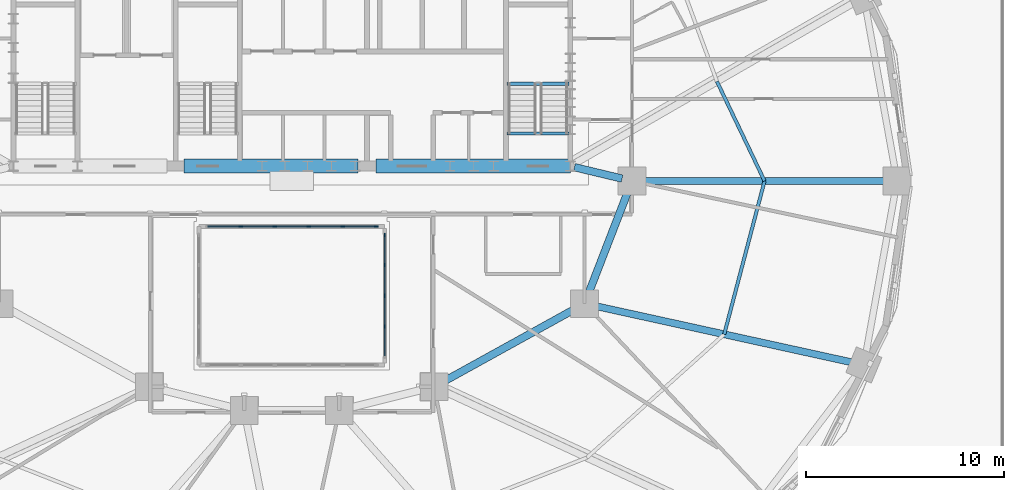
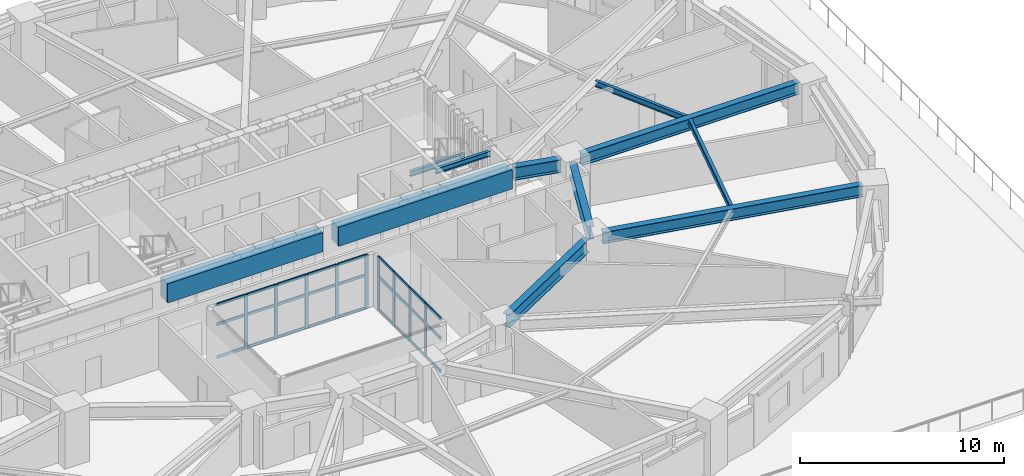
# One storey, part 5 of 18: 36 members, 11 beams, 2 elements without a shape of their own.
"""IFC4 building model written with IfcOpenShell, lengths in metres."""

from ifc_helpers import new_model, si_unit, direction, frame, origin, origin_2d, place, context, subcontext, project, spatial, rectangle, i_section, extrude, material, material_profile, profile_set, type_object, element, aggregate, save


model = new_model("IFC4")

# Units and contexts
model_context = context("Model", 3, precision=1e-05, world=origin(), true_north=direction((0.0, 1.0)))
body_context = subcontext(model_context, "Body", "Model", "MODEL_VIEW")
ifc_project = project(units=[si_unit("LENGTHUNIT", "METRE"), si_unit("AREAUNIT", "SQUARE_METRE"), si_unit("VOLUMEUNIT", "CUBIC_METRE"), si_unit("PLANEANGLEUNIT", "RADIAN"), si_unit("MASSUNIT", "GRAM", prefix="KILO")], contexts=[model_context])

# Site, building, storey
site_placement = place(None, origin())
site = spatial("IfcSite", under=ifc_project, at=site_placement, CompositionType="ELEMENT")
building_placement = place(site_placement, origin())
building = spatial("IfcBuilding", under=site, at=building_placement, Name="Haldorwick Loom Tower", CompositionType="ELEMENT")
storey_placement = place(building_placement, frame((0.0, 0.0, 24.0)))
storey = spatial("IfcBuildingStorey", under=building, at=storey_placement, Name="L05", CompositionType="ELEMENT", Elevation=24.0)

# Curtain wall, members
ifc_material_1 = material(Name="Thermally Broken Anodized Aluminium Curtain Wall Framing", Category="aluminium")
curtain_wall_type = type_object("IfcCurtainWallType", Name="ARC-CW-03", PredefinedType="NOTDEFINED", material=ifc_material_1)
curtain_wall_1_placement = place(storey_placement, origin())
curtain_wall_1 = element("IfcCurtainWall", 1, at=curtain_wall_1_placement, inside=storey, type_object=curtain_wall_type, Name="L05 Atrium Glazed Screen N", PredefinedType="NOTDEFINED")
ifc_material_profile_1 = material_profile(ifc_material_1, rectangle(XDim=0.06591796875, YDim=0.18505859375, at=origin_2d()), Name="ALU_MUL_66X185", Category="aluminium")
ifc_profile_set_1 = profile_set([ifc_material_profile_1], Name="Thermally Broken Anodized Aluminium Curtain Wall Framing")
member_type_1 = type_object("IfcMemberType", Name="ARC-CWM-03", PredefinedType="MULLION", material=ifc_profile_set_1)
member_1_placement = place(storey_placement, frame((33.419921875, 23.699951171875, 0.0), z_axis=(0.0, 0.0, 1.0), x_axis=(0.0, 1.0, 0.0)))
member_1 = element("IfcMember", 2, at=member_1_placement, type_object=member_type_1, Name="CW-03 mullion 2", PredefinedType="MULLION", context=body_context, shape_type="SweptSolid", body=[
    extrude(rectangle(XDim=0.06591796875, YDim=0.18505859375, at=origin_2d()), origin(), (0.0, 0.0, 1.0), 3.2099609375),
])
member_2_placement = place(storey_placement, frame((35.139892578125, 23.699951171875, 0.0), z_axis=(0.0, 0.0, 1.0), x_axis=(0.0, 1.0, 0.0)))
member_2 = element("IfcMember", 3, at=member_2_placement, type_object=member_type_1, Name="CW-03 mullion 3", PredefinedType="MULLION", context=body_context, shape_type="SweptSolid", body=[
    extrude(rectangle(XDim=0.06591796875, YDim=0.18505859375, at=origin_2d()), origin(), (0.0, 0.0, 1.0), 3.2099609375),
])
member_3_placement = place(storey_placement, frame((36.860107421875, 23.699951171875, 0.0), z_axis=(0.0, 0.0, 1.0), x_axis=(0.0, 1.0, 0.0)))
member_3 = element("IfcMember", 4, at=member_3_placement, type_object=member_type_1, Name="CW-03 mullion 4", PredefinedType="MULLION", context=body_context, shape_type="SweptSolid", body=[
    extrude(rectangle(XDim=0.06591796875, YDim=0.18505859375, at=origin_2d()), origin(), (0.0, 0.0, 1.0), 3.2099609375),
])
member_4_placement = place(storey_placement, frame((38.580078125, 23.699951171875, 0.0), z_axis=(0.0, 0.0, 1.0), x_axis=(0.0, 1.0, 0.0)))
member_4 = element("IfcMember", 5, at=member_4_placement, type_object=member_type_1, Name="CW-03 mullion 5", PredefinedType="MULLION", context=body_context, shape_type="SweptSolid", body=[
    extrude(rectangle(XDim=0.06591796875, YDim=0.18505859375, at=origin_2d()), origin(), (0.0, 0.0, 1.0), 3.2099609375),
])
member_5_placement = place(storey_placement, frame((40.26708984375, 23.699951171875, 0.0), z_axis=(0.0, 0.0, 1.0), x_axis=(0.0, 1.0, 0.0)))
member_5 = element("IfcMember", 6, at=member_5_placement, type_object=member_type_1, Name="CW-03 mullion 6", PredefinedType="MULLION", context=body_context, shape_type="SweptSolid", body=[
    extrude(rectangle(XDim=0.06591796875, YDim=0.18505859375, at=origin_2d()), origin(), (0.0, 0.0, 1.0), 3.2099609375),
])

curtain_wall_2_placement = place(storey_placement, origin())
curtain_wall_2 = element("IfcCurtainWall", 7, at=curtain_wall_2_placement, inside=storey, type_object=curtain_wall_type, Name="L05 Atrium Glazed Screen E", PredefinedType="NOTDEFINED")
member_6_placement = place(storey_placement, frame((40.699951171875, 23.26708984375, 0.0), z_axis=(0.0, 0.0, 1.0), x_axis=(1.0, 0.0, 0.0)))
member_6 = element("IfcMember", 8, at=member_6_placement, type_object=member_type_1, Name="CW-03 mullion 1", PredefinedType="MULLION", context=body_context, shape_type="SweptSolid", body=[
    extrude(rectangle(XDim=0.06591796875, YDim=0.18505859375, at=origin_2d()), origin(), (0.0, 0.0, 1.0), 3.2099609375),
])
member_7_placement = place(storey_placement, frame((40.699951171875, 21.75, 0.0), z_axis=(0.0, 0.0, 1.0), x_axis=(1.0, 0.0, 0.0)))
member_7 = element("IfcMember", 9, at=member_7_placement, type_object=member_type_1, Name="CW-03 mullion 2", PredefinedType="MULLION", context=body_context, shape_type="SweptSolid", body=[
    extrude(rectangle(XDim=0.06591796875, YDim=0.18505859375, at=origin_2d()), origin(), (0.0, 0.0, 1.0), 3.2099609375),
])
member_8_placement = place(storey_placement, frame((40.699951171875, 20.199951171875, 0.0), z_axis=(0.0, 0.0, 1.0), x_axis=(1.0, 0.0, 0.0)))
member_8 = element("IfcMember", 10, at=member_8_placement, type_object=member_type_1, Name="CW-03 mullion 3", PredefinedType="MULLION", context=body_context, shape_type="SweptSolid", body=[
    extrude(rectangle(XDim=0.06591796875, YDim=0.18505859375, at=origin_2d()), origin(), (0.0, 0.0, 1.0), 3.2099609375),
])
member_9_placement = place(storey_placement, frame((40.699951171875, 18.64990234375, 0.0), z_axis=(0.0, 0.0, 1.0), x_axis=(1.0, 0.0, 0.0)))
member_9 = element("IfcMember", 11, at=member_9_placement, type_object=member_type_1, Name="CW-03 mullion 4", PredefinedType="MULLION", context=body_context, shape_type="SweptSolid", body=[
    extrude(rectangle(XDim=0.06591796875, YDim=0.18505859375, at=origin_2d()), origin(), (0.0, 0.0, 1.0), 3.2099609375),
])

# Member
ifc_material_profile_2 = material_profile(ifc_material_1, rectangle(XDim=0.06591796875, YDim=0.1650390625, at=origin_2d()), Name="ALU_TRN_66X165", Category="aluminium")
ifc_profile_set_2 = profile_set([ifc_material_profile_2], Name="Thermally Broken Anodized Aluminium Curtain Wall Framing")
member_type_2 = type_object("IfcMemberType", Name="ARC-CWT-03", PredefinedType="USERDEFINED", material=ifc_profile_set_2)
member_10_placement = place(storey_placement, frame((31.76611328125, 23.699951171875, 0.032958984375), z_axis=(1.0, 0.0, 0.0), x_axis=(0.0, 1.0, 0.0)))
member_10 = element("IfcMember", 12, at=member_10_placement, type_object=member_type_2, Name="CW-03 transom 1.1", ObjectType="TRANSOM", PredefinedType="USERDEFINED", context=body_context, shape_type="SweptSolid", body=[
    extrude(rectangle(XDim=0.06591796875, YDim=0.1650390625, at=origin_2d()), origin(), (0.0, 0.0, 1.0), 1.620849609375),
])

member_11_placement = place(storey_placement, frame((31.76611328125, 23.699951171875, 2.0), z_axis=(1.0, 0.0, 0.0), x_axis=(0.0, 1.0, 0.0)))
member_11 = element("IfcMember", 13, at=member_11_placement, type_object=member_type_2, Name="CW-03 transom 1.2", ObjectType="TRANSOM", PredefinedType="USERDEFINED", context=body_context, shape_type="SweptSolid", body=[
    extrude(rectangle(XDim=0.06591796875, YDim=0.1650390625, at=origin_2d()), origin(), (0.0, 0.0, 1.0), 1.620849609375),
])

member_12_placement = place(storey_placement, frame((31.76611328125, 23.699951171875, 3.177001953125), z_axis=(1.0, 0.0, 0.0), x_axis=(0.0, 1.0, 0.0)))
member_12 = element("IfcMember", 14, at=member_12_placement, type_object=member_type_2, Name="CW-03 transom 1.3", ObjectType="TRANSOM", PredefinedType="USERDEFINED", context=body_context, shape_type="SweptSolid", body=[
    extrude(rectangle(XDim=0.06591796875, YDim=0.1650390625, at=origin_2d()), origin(), (0.0, 0.0, 1.0), 1.620849609375),
])

member_13_placement = place(storey_placement, frame((33.452880859375, 23.699951171875, 0.032958984375), z_axis=(1.0, 0.0, 0.0), x_axis=(0.0, 1.0, 0.0)))
member_13 = element("IfcMember", 15, at=member_13_placement, type_object=member_type_2, Name="CW-03 transom 2.1", ObjectType="TRANSOM", PredefinedType="USERDEFINED", context=body_context, shape_type="SweptSolid", body=[
    extrude(rectangle(XDim=0.06591796875, YDim=0.1650390625, at=origin_2d()), origin(), (0.0, 0.0, 1.0), 1.654052734375),
])

member_14_placement = place(storey_placement, frame((33.452880859375, 23.699951171875, 2.0), z_axis=(1.0, 0.0, 0.0), x_axis=(0.0, 1.0, 0.0)))
member_14 = element("IfcMember", 16, at=member_14_placement, type_object=member_type_2, Name="CW-03 transom 2.2", ObjectType="TRANSOM", PredefinedType="USERDEFINED", context=body_context, shape_type="SweptSolid", body=[
    extrude(rectangle(XDim=0.06591796875, YDim=0.1650390625, at=origin_2d()), origin(), (0.0, 0.0, 1.0), 1.654052734375),
])

member_15_placement = place(storey_placement, frame((33.452880859375, 23.699951171875, 3.177001953125), z_axis=(1.0, 0.0, 0.0), x_axis=(0.0, 1.0, 0.0)))
member_15 = element("IfcMember", 17, at=member_15_placement, type_object=member_type_2, Name="CW-03 transom 2.3", ObjectType="TRANSOM", PredefinedType="USERDEFINED", context=body_context, shape_type="SweptSolid", body=[
    extrude(rectangle(XDim=0.06591796875, YDim=0.1650390625, at=origin_2d()), origin(), (0.0, 0.0, 1.0), 1.654052734375),
])

member_16_placement = place(storey_placement, frame((35.173095703125, 23.699951171875, 0.032958984375), z_axis=(1.0, 0.0, 0.0), x_axis=(0.0, 1.0, 0.0)))
member_16 = element("IfcMember", 18, at=member_16_placement, type_object=member_type_2, Name="CW-03 transom 3.1", ObjectType="TRANSOM", PredefinedType="USERDEFINED", context=body_context, shape_type="SweptSolid", body=[
    extrude(rectangle(XDim=0.06591796875, YDim=0.1650390625, at=origin_2d()), origin(), (0.0, 0.0, 1.0), 1.65380859375),
])

member_17_placement = place(storey_placement, frame((35.173095703125, 23.699951171875, 2.0), z_axis=(1.0, 0.0, 0.0), x_axis=(0.0, 1.0, 0.0)))
member_17 = element("IfcMember", 19, at=member_17_placement, type_object=member_type_2, Name="CW-03 transom 3.2", ObjectType="TRANSOM", PredefinedType="USERDEFINED", context=body_context, shape_type="SweptSolid", body=[
    extrude(rectangle(XDim=0.06591796875, YDim=0.1650390625, at=origin_2d()), origin(), (0.0, 0.0, 1.0), 1.65380859375),
])

member_18_placement = place(storey_placement, frame((35.173095703125, 23.699951171875, 3.177001953125), z_axis=(1.0, 0.0, 0.0), x_axis=(0.0, 1.0, 0.0)))
member_18 = element("IfcMember", 20, at=member_18_placement, type_object=member_type_2, Name="CW-03 transom 3.3", ObjectType="TRANSOM", PredefinedType="USERDEFINED", context=body_context, shape_type="SweptSolid", body=[
    extrude(rectangle(XDim=0.06591796875, YDim=0.1650390625, at=origin_2d()), origin(), (0.0, 0.0, 1.0), 1.65380859375),
])

member_19_placement = place(storey_placement, frame((36.89306640625, 23.699951171875, 0.032958984375), z_axis=(1.0, 0.0, 0.0), x_axis=(0.0, 1.0, 0.0)))
member_19 = element("IfcMember", 21, at=member_19_placement, type_object=member_type_2, Name="CW-03 transom 4.1", ObjectType="TRANSOM", PredefinedType="USERDEFINED", context=body_context, shape_type="SweptSolid", body=[
    extrude(rectangle(XDim=0.06591796875, YDim=0.1650390625, at=origin_2d()), origin(), (0.0, 0.0, 1.0), 1.654052734375),
])

member_20_placement = place(storey_placement, frame((36.89306640625, 23.699951171875, 2.0), z_axis=(1.0, 0.0, 0.0), x_axis=(0.0, 1.0, 0.0)))
member_20 = element("IfcMember", 22, at=member_20_placement, type_object=member_type_2, Name="CW-03 transom 4.2", ObjectType="TRANSOM", PredefinedType="USERDEFINED", context=body_context, shape_type="SweptSolid", body=[
    extrude(rectangle(XDim=0.06591796875, YDim=0.1650390625, at=origin_2d()), origin(), (0.0, 0.0, 1.0), 1.654052734375),
])

member_21_placement = place(storey_placement, frame((36.89306640625, 23.699951171875, 3.177001953125), z_axis=(1.0, 0.0, 0.0), x_axis=(0.0, 1.0, 0.0)))
member_21 = element("IfcMember", 23, at=member_21_placement, type_object=member_type_2, Name="CW-03 transom 4.3", ObjectType="TRANSOM", PredefinedType="USERDEFINED", context=body_context, shape_type="SweptSolid", body=[
    extrude(rectangle(XDim=0.06591796875, YDim=0.1650390625, at=origin_2d()), origin(), (0.0, 0.0, 1.0), 1.654052734375),
])

member_22_placement = place(storey_placement, frame((38.613037109375, 23.699951171875, 0.032958984375), z_axis=(1.0, 0.0, 0.0), x_axis=(0.0, 1.0, 0.0)))
member_22 = element("IfcMember", 24, at=member_22_placement, type_object=member_type_2, Name="CW-03 transom 5.1", ObjectType="TRANSOM", PredefinedType="USERDEFINED", context=body_context, shape_type="SweptSolid", body=[
    extrude(rectangle(XDim=0.06591796875, YDim=0.1650390625, at=origin_2d()), origin(), (0.0, 0.0, 1.0), 1.620849609375),
])

member_23_placement = place(storey_placement, frame((38.613037109375, 23.699951171875, 2.0), z_axis=(1.0, 0.0, 0.0), x_axis=(0.0, 1.0, 0.0)))
member_23 = element("IfcMember", 25, at=member_23_placement, type_object=member_type_2, Name="CW-03 transom 5.2", ObjectType="TRANSOM", PredefinedType="USERDEFINED", context=body_context, shape_type="SweptSolid", body=[
    extrude(rectangle(XDim=0.06591796875, YDim=0.1650390625, at=origin_2d()), origin(), (0.0, 0.0, 1.0), 1.620849609375),
])

member_24_placement = place(storey_placement, frame((38.613037109375, 23.699951171875, 3.177001953125), z_axis=(1.0, 0.0, 0.0), x_axis=(0.0, 1.0, 0.0)))
member_24 = element("IfcMember", 26, at=member_24_placement, type_object=member_type_2, Name="CW-03 transom 5.3", ObjectType="TRANSOM", PredefinedType="USERDEFINED", context=body_context, shape_type="SweptSolid", body=[
    extrude(rectangle(XDim=0.06591796875, YDim=0.1650390625, at=origin_2d()), origin(), (0.0, 0.0, 1.0), 1.620849609375),
])

aggregate(curtain_wall_1, [member_1, member_2, member_3, member_4, member_5, member_10, member_11, member_12, member_13, member_14, member_15, member_16, member_17, member_18, member_19, member_20, member_21, member_22, member_23, member_24])

member_25_placement = place(storey_placement, frame((40.699951171875, 23.23388671875, 0.032958984375), z_axis=(0.0, -1.0, 0.0), x_axis=(1.0, 0.0, 0.0)))
member_25 = element("IfcMember", 27, at=member_25_placement, type_object=member_type_2, Name="CW-03 transom 1.1", ObjectType="TRANSOM", PredefinedType="USERDEFINED", context=body_context, shape_type="SweptSolid", body=[
    extrude(rectangle(XDim=0.06591796875, YDim=0.1650390625, at=origin_2d()), origin(), (0.0, 0.0, 1.0), 1.450927734375),
])

member_26_placement = place(storey_placement, frame((40.699951171875, 23.23388671875, 2.0), z_axis=(0.0, -1.0, 0.0), x_axis=(1.0, 0.0, 0.0)))
member_26 = element("IfcMember", 28, at=member_26_placement, type_object=member_type_2, Name="CW-03 transom 1.2", ObjectType="TRANSOM", PredefinedType="USERDEFINED", context=body_context, shape_type="SweptSolid", body=[
    extrude(rectangle(XDim=0.06591796875, YDim=0.1650390625, at=origin_2d()), origin(), (0.0, 0.0, 1.0), 1.450927734375),
])

member_27_placement = place(storey_placement, frame((40.699951171875, 23.23388671875, 3.177001953125), z_axis=(0.0, -1.0, 0.0), x_axis=(1.0, 0.0, 0.0)))
member_27 = element("IfcMember", 29, at=member_27_placement, type_object=member_type_2, Name="CW-03 transom 1.3", ObjectType="TRANSOM", PredefinedType="USERDEFINED", context=body_context, shape_type="SweptSolid", body=[
    extrude(rectangle(XDim=0.06591796875, YDim=0.1650390625, at=origin_2d()), origin(), (0.0, 0.0, 1.0), 1.450927734375),
])

member_28_placement = place(storey_placement, frame((40.699951171875, 21.717041015625, 0.032958984375), z_axis=(0.0, -1.0, 0.0), x_axis=(1.0, 0.0, 0.0)))
member_28 = element("IfcMember", 30, at=member_28_placement, type_object=member_type_2, Name="CW-03 transom 2.1", ObjectType="TRANSOM", PredefinedType="USERDEFINED", context=body_context, shape_type="SweptSolid", body=[
    extrude(rectangle(XDim=0.06591796875, YDim=0.1650390625, at=origin_2d()), origin(), (0.0, 0.0, 1.0), 1.484130859375),
])

member_29_placement = place(storey_placement, frame((40.699951171875, 21.717041015625, 2.0), z_axis=(0.0, -1.0, 0.0), x_axis=(1.0, 0.0, 0.0)))
member_29 = element("IfcMember", 31, at=member_29_placement, type_object=member_type_2, Name="CW-03 transom 2.2", ObjectType="TRANSOM", PredefinedType="USERDEFINED", context=body_context, shape_type="SweptSolid", body=[
    extrude(rectangle(XDim=0.06591796875, YDim=0.1650390625, at=origin_2d()), origin(), (0.0, 0.0, 1.0), 1.484130859375),
])

member_30_placement = place(storey_placement, frame((40.699951171875, 21.717041015625, 3.177001953125), z_axis=(0.0, -1.0, 0.0), x_axis=(1.0, 0.0, 0.0)))
member_30 = element("IfcMember", 32, at=member_30_placement, type_object=member_type_2, Name="CW-03 transom 2.3", ObjectType="TRANSOM", PredefinedType="USERDEFINED", context=body_context, shape_type="SweptSolid", body=[
    extrude(rectangle(XDim=0.06591796875, YDim=0.1650390625, at=origin_2d()), origin(), (0.0, 0.0, 1.0), 1.484130859375),
])

member_31_placement = place(storey_placement, frame((40.699951171875, 20.1669921875, 0.032958984375), z_axis=(0.0, -1.0, 0.0), x_axis=(1.0, 0.0, 0.0)))
member_31 = element("IfcMember", 33, at=member_31_placement, type_object=member_type_2, Name="CW-03 transom 3.1", ObjectType="TRANSOM", PredefinedType="USERDEFINED", context=body_context, shape_type="SweptSolid", body=[
    extrude(rectangle(XDim=0.06591796875, YDim=0.1650390625, at=origin_2d()), origin(), (0.0, 0.0, 1.0), 1.48388671875),
])

member_32_placement = place(storey_placement, frame((40.699951171875, 20.1669921875, 2.0), z_axis=(0.0, -1.0, 0.0), x_axis=(1.0, 0.0, 0.0)))
member_32 = element("IfcMember", 34, at=member_32_placement, type_object=member_type_2, Name="CW-03 transom 3.2", ObjectType="TRANSOM", PredefinedType="USERDEFINED", context=body_context, shape_type="SweptSolid", body=[
    extrude(rectangle(XDim=0.06591796875, YDim=0.1650390625, at=origin_2d()), origin(), (0.0, 0.0, 1.0), 1.48388671875),
])

member_33_placement = place(storey_placement, frame((40.699951171875, 20.1669921875, 3.177001953125), z_axis=(0.0, -1.0, 0.0), x_axis=(1.0, 0.0, 0.0)))
member_33 = element("IfcMember", 35, at=member_33_placement, type_object=member_type_2, Name="CW-03 transom 3.3", ObjectType="TRANSOM", PredefinedType="USERDEFINED", context=body_context, shape_type="SweptSolid", body=[
    extrude(rectangle(XDim=0.06591796875, YDim=0.1650390625, at=origin_2d()), origin(), (0.0, 0.0, 1.0), 1.48388671875),
])

member_34_placement = place(storey_placement, frame((40.699951171875, 18.616943359375, 0.032958984375), z_axis=(0.0, -1.0, 0.0), x_axis=(1.0, 0.0, 0.0)))
member_34 = element("IfcMember", 36, at=member_34_placement, type_object=member_type_2, Name="CW-03 transom 4.1", ObjectType="TRANSOM", PredefinedType="USERDEFINED", context=body_context, shape_type="SweptSolid", body=[
    extrude(rectangle(XDim=0.06591796875, YDim=0.1650390625, at=origin_2d()), origin(), (0.0, 0.0, 1.0), 1.450927734375),
])

member_35_placement = place(storey_placement, frame((40.699951171875, 18.616943359375, 2.0), z_axis=(0.0, -1.0, 0.0), x_axis=(1.0, 0.0, 0.0)))
member_35 = element("IfcMember", 37, at=member_35_placement, type_object=member_type_2, Name="CW-03 transom 4.2", ObjectType="TRANSOM", PredefinedType="USERDEFINED", context=body_context, shape_type="SweptSolid", body=[
    extrude(rectangle(XDim=0.06591796875, YDim=0.1650390625, at=origin_2d()), origin(), (0.0, 0.0, 1.0), 1.450927734375),
])

member_36_placement = place(storey_placement, frame((40.699951171875, 18.616943359375, 3.177001953125), z_axis=(0.0, -1.0, 0.0), x_axis=(1.0, 0.0, 0.0)))
member_36 = element("IfcMember", 38, at=member_36_placement, type_object=member_type_2, Name="CW-03 transom 4.3", ObjectType="TRANSOM", PredefinedType="USERDEFINED", context=body_context, shape_type="SweptSolid", body=[
    extrude(rectangle(XDim=0.06591796875, YDim=0.1650390625, at=origin_2d()), origin(), (0.0, 0.0, 1.0), 1.450927734375),
])

aggregate(curtain_wall_2, [member_6, member_7, member_8, member_9, member_25, member_26, member_27, member_28, member_29, member_30, member_31, member_32, member_33, member_34, member_35, member_36])

# Beams
ifc_material_2 = material(Name="Concrete C60 (60 MPa)", Category="concrete")
ifc_material_profile_3 = material_profile(ifc_material_2, rectangle(XDim=0.699951171875, YDim=1.14990234375, at=origin_2d()), Name="RC700X1150", Category="concrete")
ifc_profile_set_3 = profile_set([ifc_material_profile_3], Name="Concrete C60 (60 MPa)")
beam_type_1 = type_object("IfcBeamType", Name="STR-BM-CB1150", PredefinedType="LINTEL", material=ifc_profile_set_3)
beam_1_placement = place(storey_placement, frame((30.550048828125, 26.75, 2.635009765625), z_axis=(1.0, 0.0, 0.0), x_axis=(0.0, 1.0, 0.0)))
element("IfcBeam", 39, at=beam_1_placement, inside=storey, type_object=beam_type_1, Name="L05 Core Coupling Beam CB-S2", PredefinedType="LINTEL", context=body_context, shape_type="SweptSolid", body=[
    extrude(rectangle(XDim=0.699951171875, YDim=1.14990234375, at=origin_2d()), origin(), (0.0, 0.0, 1.0), 8.800048828125),
])
beam_2_placement = place(storey_placement, frame((40.25, 26.75, 2.635009765625), z_axis=(1.0, 0.0, 0.0), x_axis=(0.0, 1.0, 0.0)))
element("IfcBeam", 40, at=beam_2_placement, inside=storey, type_object=beam_type_1, Name="L05 Core Coupling Beam CB-S3", PredefinedType="LINTEL", context=body_context, shape_type="SweptSolid", body=[
    extrude(rectangle(XDim=0.699951171875, YDim=1.14990234375, at=origin_2d()), origin(), (0.0, 0.0, 1.0), 9.85009765625),
])
ifc_material_3 = material(Name="Steel CSA G40.21 350W", Category="steel")
ifc_material_profile_4 = material_profile(ifc_material_3, i_section(OverallWidth=0.172119140625, OverallDepth=0.35791015625, WebThickness=0.0078125, FlangeThickness=0.01318359375, at=origin_2d()), Name="W360X57", Category="steel")
ifc_profile_set_4 = profile_set([ifc_material_profile_4], Name="Steel CSA G40.21 350W")
beam_type_2 = type_object("IfcBeamType", Name="STR-BM-J360", PredefinedType="JOIST", material=ifc_profile_set_4)
beam_3_placement = place(storey_placement, frame((59.89794921875, 26.0, 3.031005859375), z_axis=(-0.431630738849, 0.902050389546, 0.0), x_axis=(-0.902050389546, -0.431630738849, 0.0)))
element("IfcBeam", 41, at=beam_3_placement, inside=storey, type_object=beam_type_2, Name="L05 Mid-Bay Secondary Joist 1", PredefinedType="JOIST", context=body_context, shape_type="SweptSolid", body=[
    extrude(i_section(OverallWidth=0.172119140625, OverallDepth=0.35791015625, WebThickness=0.0078125, FlangeThickness=0.01318359375, at=origin_2d()), origin(), (0.0, 0.0, 1.0), 5.5703125),
])
beam_4_placement = place(storey_placement, frame((57.858642578125, 18.25048828125, 3.031005859375), z_axis=(0.2544888003, 0.967075721193, 0.0), x_axis=(-0.967075721193, 0.2544888003, 0.0)))
element("IfcBeam", 42, at=beam_4_placement, inside=storey, type_object=beam_type_2, Name="L05 Mid-Bay Secondary Joist 16", PredefinedType="JOIST", context=body_context, shape_type="SweptSolid", body=[
    extrude(i_section(OverallWidth=0.172119140625, OverallDepth=0.35791015625, WebThickness=0.0078125, FlangeThickness=0.01318359375, at=origin_2d()), origin(), (0.0, 0.0, 1.0), 8.013427734375),
])
ifc_material_profile_5 = material_profile(ifc_material_3, i_section(OverallWidth=0.166015625, OverallDepth=0.31298828125, WebThickness=0.006591796875, FlangeThickness=0.01123046875, at=origin_2d()), Name="W310X45", Category="steel")
ifc_profile_set_5 = profile_set([ifc_material_profile_5], Name="Steel CSA G40.21 350W")
beam_type_3 = type_object("IfcBeamType", Name="STR-BM-STRM", PredefinedType="BEAM", material=ifc_profile_set_5)
for number, where, z_axis, x_axis, name in (
    (43, (46.889892578125, 28.39990234375, 3.053466796875), (1.0, 0.0, 0.0), (0.0, 1.0, 0.0), "L05 Stair ST-02 Landing Edge Trimmer"),
    (44, (46.889892578125, 30.919921875, 1.368408203125), (1.0, 0.0, 0.0), (0.0, 1.0, 0.0), "L05 Stair ST-02 Half-Landing Trimmer 1"),
):
    element("IfcBeam", number, at=place(storey_placement, frame(where, z_axis=z_axis, x_axis=x_axis)), inside=storey, type_object=beam_type_3, Name=name, PredefinedType="BEAM", context=body_context, shape_type="SweptSolid", body=[
        extrude(i_section(OverallWidth=0.166015625, OverallDepth=0.31298828125, WebThickness=0.006591796875, FlangeThickness=0.01123046875, at=origin_2d()), origin(), (0.0, 0.0, 1.0), 3.1201171875),
    ])
ifc_material_profile_6 = material_profile(ifc_material_3, i_section(OverallWidth=0.35498046875, OverallDepth=0.695068359375, WebThickness=0.015380859375, FlangeThickness=0.02490234375, at=origin_2d()), Name="W690X217", Category="steel")
ifc_profile_set_6 = profile_set([ifc_material_profile_6], Name="Steel CSA G40.21 350W")
beam_type_4 = type_object("IfcBeamType", Name="STR-BM-W690", PredefinedType="BEAM", material=ifc_profile_set_6)
beam_5_placement = place(storey_placement, frame((53.719970703125, 26.0, 2.862548828125), z_axis=(1.0, 0.0, 0.0), x_axis=(0.0, 1.0, 0.0)))
element("IfcBeam", 45, at=beam_5_placement, inside=storey, type_object=beam_type_4, Name="L05 Radial Floor Girder 1", PredefinedType="BEAM", context=body_context, shape_type="SweptSolid", body=[
    extrude(i_section(OverallWidth=0.35498046875, OverallDepth=0.695068359375, WebThickness=0.015380859375, FlangeThickness=0.02490234375, at=origin_2d()), origin(), (0.0, 0.0, 1.0), 12.35595703125),
])
beam_6_placement = place(storey_placement, frame((51.307861328125, 19.6884765625, 2.862548828125), z_axis=(0.976740159434, -0.214426353203, 0.0), x_axis=(0.214426353203, 0.976740159434, 0.0)))
element("IfcBeam", 46, at=beam_6_placement, inside=storey, type_object=beam_type_4, Name="L05 Radial Floor Girder 16", PredefinedType="BEAM", context=body_context, shape_type="SweptSolid", body=[
    extrude(i_section(OverallWidth=0.35498046875, OverallDepth=0.695068359375, WebThickness=0.015380859375, FlangeThickness=0.02490234375, at=origin_2d()), origin(), (0.0, 0.0, 1.0), 13.41357421875),
])
ifc_material_profile_7 = material_profile(ifc_material_3, i_section(OverallWidth=0.381103515625, OverallDepth=0.77294921875, WebThickness=0.0166015625, FlangeThickness=0.027587890625, at=origin_2d()), Name="W760X257", Category="steel")
ifc_profile_set_7 = profile_set([ifc_material_profile_7], Name="Steel CSA G40.21 350W")
beam_type_5 = type_object("IfcBeamType", Name="STR-BM-W760", PredefinedType="BEAM", material=ifc_profile_set_7)
beam_7_placement = place(storey_placement, frame((50.288818359375, 26.697509765625, 2.823486328125), z_axis=(0.97247055837, -0.233025777764, 0.0), x_axis=(0.233025777764, 0.97247055837, 0.0)))
element("IfcBeam", 47, at=beam_7_placement, inside=storey, type_object=beam_type_5, Name="L05 Inner Ring Girder 1", PredefinedType="BEAM", context=body_context, shape_type="SweptSolid", body=[
    extrude(i_section(OverallWidth=0.381103515625, OverallDepth=0.77294921875, WebThickness=0.0166015625, FlangeThickness=0.027587890625, at=origin_2d()), origin(), (0.0, 0.0, 1.0), 2.4736328125),
])
beam_8_placement = place(storey_placement, frame((53.01220703125, 25.51513671875, 2.823486328125), z_axis=(-0.360964792353, -0.93257944363, 0.0), x_axis=(0.93257944363, -0.360964792353, 0.0)))
element("IfcBeam", 48, at=beam_8_placement, inside=storey, type_object=beam_type_5, Name="L05 Inner Ring Girder 2", PredefinedType="BEAM", context=body_context, shape_type="SweptSolid", body=[
    extrude(i_section(OverallWidth=0.381103515625, OverallDepth=0.77294921875, WebThickness=0.0166015625, FlangeThickness=0.027587890625, at=origin_2d()), origin(), (0.0, 0.0, 1.0), 5.6083984375),
])
beam_9_placement = place(storey_placement, frame((50.344970703125, 19.548583984375, 2.823486328125), z_axis=(-0.875244382146, -0.483680960471, 0.0), x_axis=(0.483680960471, -0.875244382146, 0.0)))
element("IfcBeam", 49, at=beam_9_placement, inside=storey, type_object=beam_type_5, Name="L05 Inner Ring Girder 3", PredefinedType="BEAM", context=body_context, shape_type="SweptSolid", body=[
    extrude(i_section(OverallWidth=0.381103515625, OverallDepth=0.77294921875, WebThickness=0.0166015625, FlangeThickness=0.027587890625, at=origin_2d()), origin(), (0.0, 0.0, 1.0), 7.6435546875),
])

save(model, "model.ifc")
